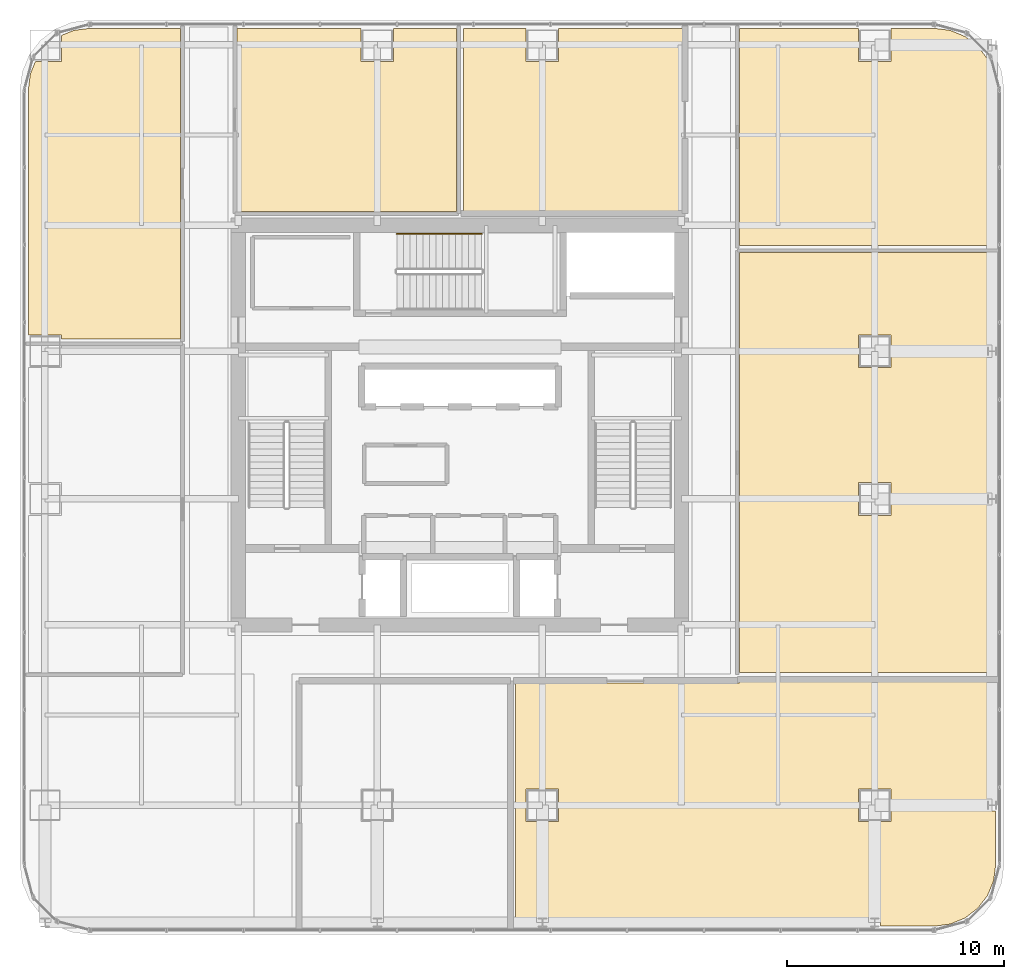
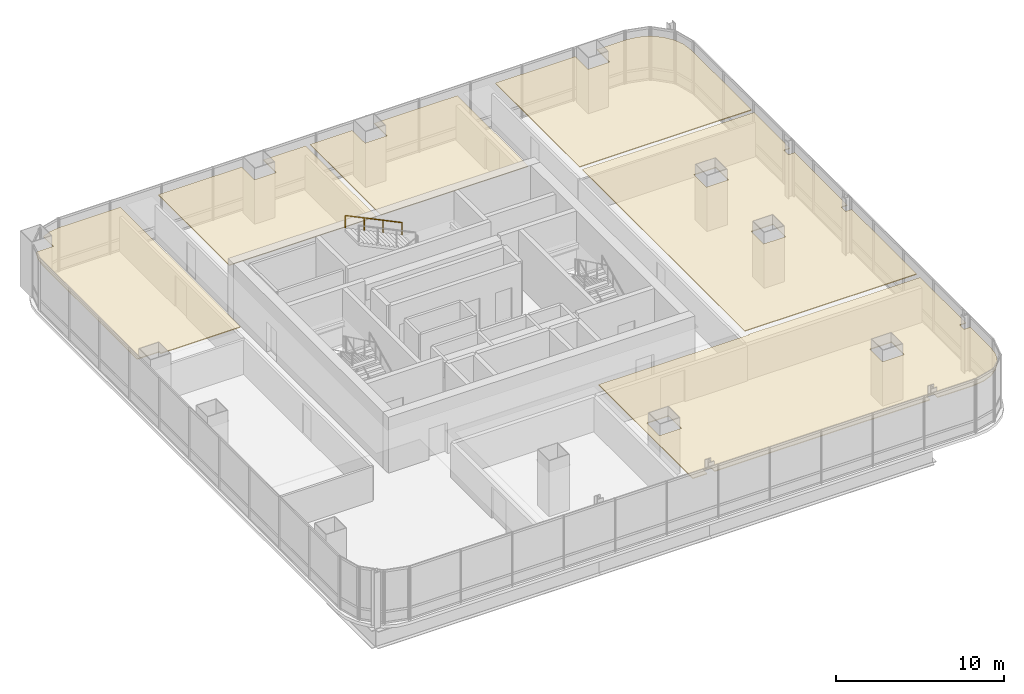
# One storey, part 35 of 35: 6 coverings, 1 railing.
"""IFC4 building model written with IfcOpenShell, lengths in metres."""

from ifc_helpers import new_model, si_unit, direction, frame, origin, origin_2d, place, context, subcontext, project, spatial, polyline, circle, outline, extrude, material, layer, layer_set, type_object, element, save


model = new_model("IFC4")

# Units and contexts
model_context = context("Model", 3, precision=1e-05, world=origin(), true_north=direction((0.0, 1.0)))
body_context = subcontext(model_context, "Body", "Model", "MODEL_VIEW")
ifc_project = project(units=[si_unit("LENGTHUNIT", "METRE"), si_unit("AREAUNIT", "SQUARE_METRE"), si_unit("VOLUMEUNIT", "CUBIC_METRE"), si_unit("PLANEANGLEUNIT", "RADIAN"), si_unit("MASSUNIT", "GRAM", prefix="KILO")], contexts=[model_context])

# Site, building, storey
site_placement = place(None, origin())
site = spatial("IfcSite", under=ifc_project, at=site_placement, CompositionType="ELEMENT")
building_placement = place(site_placement, origin())
building = spatial("IfcBuilding", under=site, at=building_placement, Name="Punatoya Terracotta Tower", CompositionType="ELEMENT")
storey_placement = place(building_placement, frame((0.0, 0.0, 216.75)))
storey = spatial("IfcBuildingStorey", under=building, at=storey_placement, Name="L51", CompositionType="ELEMENT", Elevation=216.75)

# Coverings
ifc_material_1 = material(Name="Acoustic Mineral Fibre Ceiling")
ifc_layer = layer(ifc_material_1, 0.06005859375)
ifc_layer_set = layer_set([ifc_layer], Name="Acoustic Mineral Fibre Ceiling")
covering_type = type_object("IfcCoveringType", Name="COV-CEIL-60", PredefinedType="CEILING", material=ifc_layer_set)
covering_1_placement = place(storey_placement, frame((0.0, 0.0, 3.219970703125)))
element("IfcCovering", 1, at=covering_1_placement, inside=storey, type_object=covering_type, Name="L51 Executive Bistro Lounge Acoustic Ceiling", PredefinedType="CEILING", context=body_context, shape_type="SweptSolid", body=[
    extrude(outline(polyline([(12.8701171875, -11.8701171875), (2.56005859375, -11.8701171875), (2.56005859375, -23.070068359375), (3.54541015625, -23.070068359375), (3.54541015625, -22.637451171875), (4.054443359375, -22.637451171875), (4.054443359375, -23.070068359375), (18.845458984375, -23.070068359375), (18.845458984375, -22.637451171875), (19.3544921875, -22.637451171875), (19.3544921875, -23.070068359375), (21.8251953125, -23.070068359375), (22.5791015625, -22.970703125), (23.25830078125, -22.689453125), (23.841796875, -22.24169921875), (24.289306640625, -21.658203125), (24.57080078125, -20.97900390625), (24.669921875, -20.22509765625), (24.669921875, -17.762451171875), (24.24560546875, -17.762451171875), (24.24560546875, -17.237548828125), (24.669921875, -17.237548828125), (24.669921875, -11.81005859375), (12.8701171875, -11.81005859375), (12.8701171875, -11.8701171875)]), holes=[polyline([(19.85009765625, -18.25), (18.35009765625, -18.25), (18.35009765625, -16.75), (19.85009765625, -16.75), (19.85009765625, -18.25)]), polyline([(4.550048828125, -16.75), (4.550048828125, -18.25), (3.050048828125, -18.25), (3.050048828125, -16.75), (4.550048828125, -16.75)])]), origin(), (0.0, 0.0, 1.0), 0.06005859375),
])
covering_2_placement = place(storey_placement, frame((0.0, 0.0, 3.219970703125)))
element("IfcCovering", 2, at=covering_2_placement, inside=storey, type_object=covering_type, Name="L51 Visitor Reception Salon Acoustic Ceiling", PredefinedType="CEILING", context=body_context, shape_type="SweptSolid", body=[
    extrude(outline(polyline([(24.669921875, 3.66259765625), (24.669921875, 7.93798828125), (12.8701171875, 7.93798828125), (12.8701171875, -11.389892578125), (24.669921875, -11.389892578125), (24.669921875, -3.66259765625), (24.24560546875, -3.66259765625), (24.24560546875, -3.137451171875), (24.669921875, -3.137451171875), (24.669921875, 3.137451171875), (24.24560546875, 3.137451171875), (24.24560546875, 3.66259765625), (24.669921875, 3.66259765625)]), holes=[polyline([(18.35009765625, -4.14990234375), (18.35009765625, -2.64990234375), (19.85009765625, -2.64990234375), (19.85009765625, -4.14990234375), (18.35009765625, -4.14990234375)]), polyline([(18.35009765625, 4.14990234375), (19.85009765625, 4.14990234375), (19.85009765625, 2.64990234375), (18.35009765625, 2.64990234375), (18.35009765625, 4.14990234375)])]), origin(), (0.0, 0.0, 1.0), 0.06005859375),
])
covering_3_placement = place(storey_placement, frame((0.0, 0.0, 3.219970703125)))
element("IfcCovering", 3, at=covering_3_placement, inside=storey, type_object=covering_type, Name="L51 Open-Plan Private Dining Boardroom Acoustic Ceiling", PredefinedType="CEILING", context=body_context, shape_type="SweptSolid", body=[
    extrude(outline(polyline([(-19.8701171875, 4.14990234375), (-18.35009765625, 4.14990234375), (-18.35009765625, 3.9599609375), (-12.8701171875, 3.9599609375), (-12.8701171875, 18.27001953125), (-17.025146484375, 18.27001953125), (-17.779052734375, 18.1708984375), (-18.35009765625, 17.934326171875), (-18.35009765625, 16.75), (-19.5341796875, 16.75), (-19.770751953125, 16.178955078125), (-19.8701171875, 15.425048828125), (-19.8701171875, 4.14990234375)])), origin(), (0.0, 0.0, 1.0), 0.06005859375),
])
covering_4_placement = place(storey_placement, frame((0.0, 0.0, 3.219970703125)))
element("IfcCovering", 4, at=covering_4_placement, inside=storey, type_object=covering_type, Name="L51 Open-Plan Wellness Relaxation Lounge Acoustic Ceiling", PredefinedType="CEILING", context=body_context, shape_type="SweptSolid", body=[
    extrude(outline(polyline([(18.35009765625, 18.27001953125), (12.8701171875, 18.27001953125), (12.8701171875, 8.258056640625), (24.669921875, 8.258056640625), (24.669921875, 15.425048828125), (24.57080078125, 16.178955078125), (24.289306640625, 16.8583984375), (23.841796875, 17.441650390625), (23.25830078125, 17.889404296875), (22.5791015625, 18.1708984375), (21.8251953125, 18.27001953125), (19.85009765625, 18.27001953125), (19.85009765625, 16.75), (18.35009765625, 16.75), (18.35009765625, 18.27001953125)])), origin(), (0.0, 0.0, 1.0), 0.06005859375),
])
covering_5_placement = place(storey_placement, frame((0.0, 0.0, 3.219970703125)))
element("IfcCovering", 5, at=covering_5_placement, inside=storey, type_object=covering_type, Name="L51 Open-Plan Barista Espresso Pantry Acoustic Ceiling", PredefinedType="CEILING", context=body_context, shape_type="SweptSolid", body=[
    extrude(outline(polyline([(-10.260009765625, 18.27001953125), (-10.260009765625, 9.840087890625), (-0.159912109375, 9.840087890625), (-0.159912109375, 18.27001953125), (-3.050048828125, 18.27001953125), (-3.050048828125, 16.75), (-4.550048828125, 16.75), (-4.550048828125, 18.27001953125), (-10.260009765625, 18.27001953125)])), origin(), (0.0, 0.0, 1.0), 0.06005859375),
])
covering_6_placement = place(storey_placement, frame((0.0, 0.0, 3.219970703125)))
element("IfcCovering", 6, at=covering_6_placement, inside=storey, type_object=covering_type, Name="L51 Open-Plan Waterfront Club Lounge Acoustic Ceiling", PredefinedType="CEILING", context=body_context, shape_type="SweptSolid", body=[
    extrude(outline(polyline([(3.050048828125, 18.27001953125), (0.159912109375, 18.27001953125), (0.159912109375, 9.840087890625), (10.260009765625, 9.840087890625), (10.260009765625, 18.27001953125), (4.550048828125, 18.27001953125), (4.550048828125, 16.75), (3.050048828125, 16.75), (3.050048828125, 18.27001953125)])), origin(), (0.0, 0.0, 1.0), 0.06005859375),
])

# Railing
ifc_material_2 = material(Name="Steel S355", Category="steel")
railing_type = type_object("IfcRailingType", Name="RLG-HND-900", PredefinedType="HANDRAIL", material=ifc_material_2)
railing_placement = place(storey_placement, frame((1.0, 8.800048828125, 2.169677734375)))
element("IfcRailing", 7, at=railing_placement, inside=storey, type_object=railing_type, Name="L51 ST-3 stair handrail 2", PredefinedType="HANDRAIL", context=body_context, shape_type="SweptSolid", body=[
    extrude(circle(Radius=0.02392578125, at=origin_2d()), frame((0.0, 0.0, 0.8759765625), z_axis=(-0.900763166376, 0.0, 0.434310623978), x_axis=(0.0, -1.0, 0.0)), (0.0, 0.0, 1.0), 4.32958984375),
    extrude(circle(Radius=0.02099609375, at=origin_2d()), origin(), (0.0, 0.0, 1.0), 0.851806640625),
    extrude(circle(Radius=0.02099609375, at=origin_2d()), frame((-1.300048828125, 0.0, 0.626708984375)), (0.0, 0.0, 1.0), 0.851806640625),
    extrude(circle(Radius=0.02099609375, at=origin_2d()), frame((-2.599853515625, 0.0, 1.253662109375)), (0.0, 0.0, 1.0), 0.851806640625),
    extrude(circle(Radius=0.02099609375, at=origin_2d()), frame((-3.89990234375, 0.0, 1.88037109375)), (0.0, 0.0, 1.0), 0.851806640625),
])

save(model, "model.ifc")
